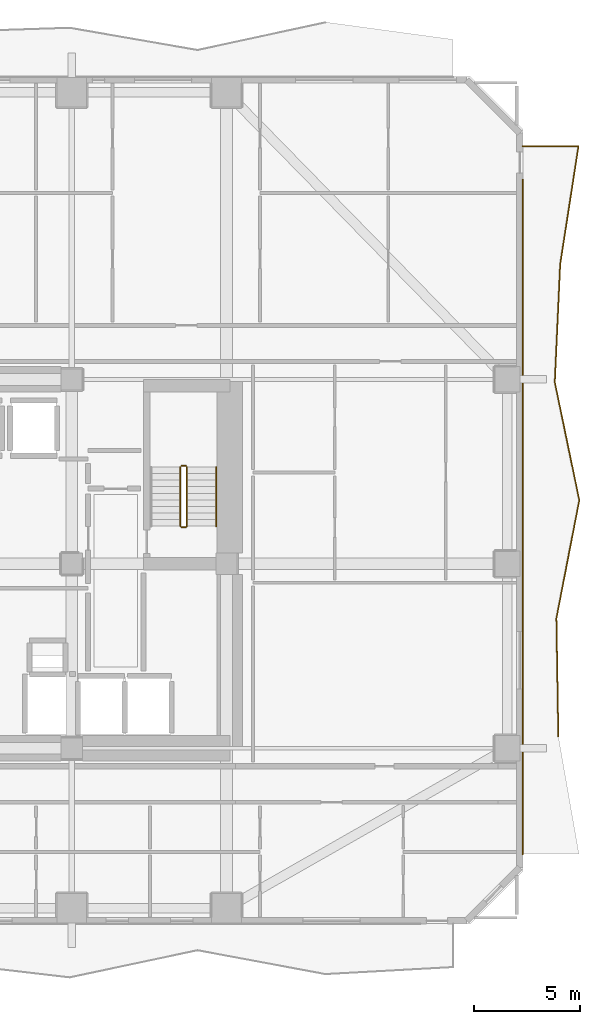
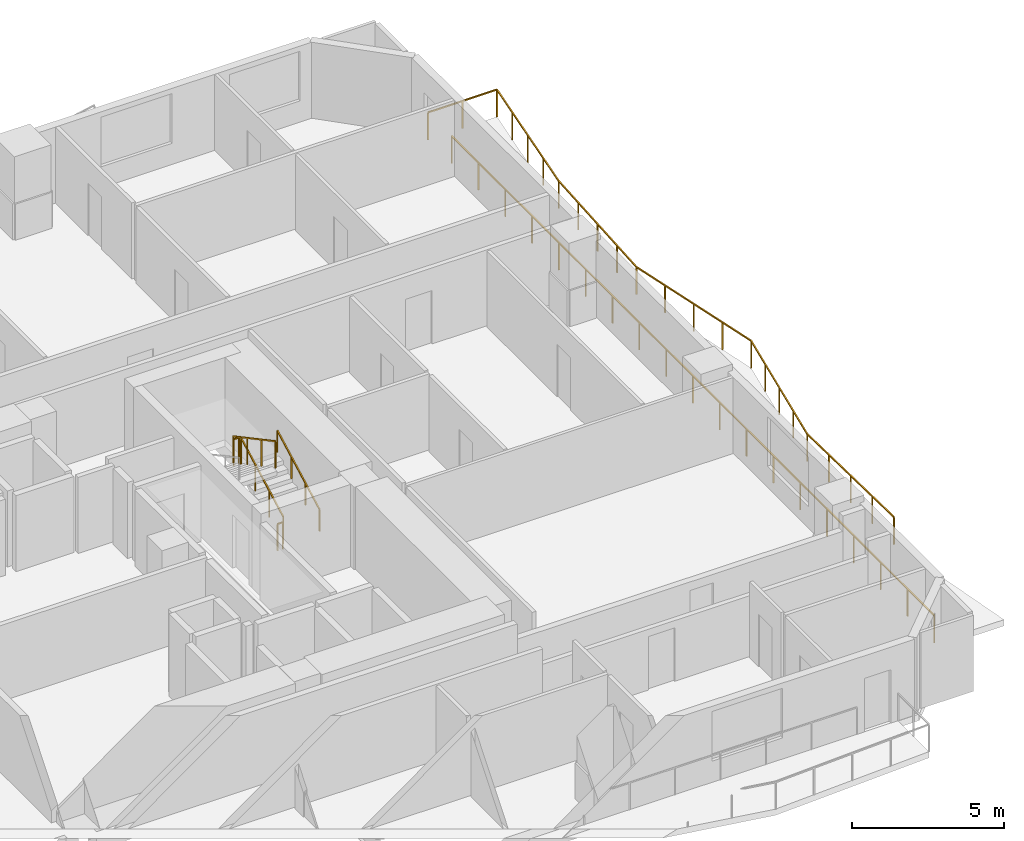
# One storey, part 10 of 11: 7 railings.
"""IFC4 building model written with IfcOpenShell, lengths in metres."""

from ifc_helpers import new_model, si_unit, direction, frame, origin, origin_2d, place, context, subcontext, project, spatial, rectangle, extrude, material, type_object, element, save


model = new_model("IFC4")

# Units and contexts
model_context = context("Model", 3, precision=1e-05, world=origin(), true_north=direction((0.0, 1.0)))
body_context = subcontext(model_context, "Body", "Model", "MODEL_VIEW")
ifc_project = project(units=[si_unit("LENGTHUNIT", "METRE"), si_unit("AREAUNIT", "SQUARE_METRE"), si_unit("VOLUMEUNIT", "CUBIC_METRE"), si_unit("PLANEANGLEUNIT", "RADIAN"), si_unit("MASSUNIT", "GRAM", prefix="KILO")], contexts=[model_context])

# Site, building, storey
site_placement = place(None, origin())
site = spatial("IfcSite", under=ifc_project, at=site_placement, CompositionType="ELEMENT")
building_placement = place(site_placement, origin())
building = spatial("IfcBuilding", under=site, at=building_placement, Name="Solanera Arch Residences", CompositionType="ELEMENT")
storey_placement = place(building_placement, frame((0.0, 0.0, 68.47998046875)))
storey = spatial("IfcBuildingStorey", under=building, at=storey_placement, Name="L19", CompositionType="ELEMENT", Elevation=68.47998046875)

# Railings
ifc_material_1 = material(Name="Steel S355 (ASTM A992 / A572 Grade 50)", Category="steel")
railing_type_1 = type_object("IfcRailingType", Name="Balustrade Railing BL-1100", PredefinedType="BALUSTRADE", material=ifc_material_1)
railing_1_placement = place(storey_placement, frame((52.159912109375, 22.56689453125, 0.0)))
element("IfcRailing", 1, at=railing_1_placement, inside=storey, type_object=railing_type_1, Name="L19 E Balcony Balustrade 1", PredefinedType="BALUSTRADE", context=body_context, shape_type="SweptSolid", body=[
    extrude(rectangle(XDim=0.048095703125, YDim=0.048095703125, at=origin_2d()), frame((0.0, 0.0, 1.09619140625), z_axis=(-0.016314333585, 0.999866912404, 0.0), x_axis=(-0.999866912404, -0.016314333585, 0.0)), (0.0, 0.0, 1.0), 5.56689453125),
    extrude(rectangle(XDim=0.048095703125, YDim=0.048095703125, at=origin_2d()), frame((-0.0908203125, 5.566162109375, 1.09619140625), z_axis=(0.190258853193, 0.981733960287, 0.0), x_axis=(-0.981733960287, 0.190258853193, 0.0)), (0.0, 0.0, 1.0), 5.67041015625),
    extrude(rectangle(XDim=0.048095703125, YDim=0.048095703125, at=origin_2d()), frame((0.988037109375, 11.133056640625, 1.09619140625), z_axis=(-0.203146551472, 0.979148343524, 0.0), x_axis=(-0.979148343524, -0.203146551472, 0.0)), (0.0, 0.0, 1.0), 5.685791015625),
    extrude(rectangle(XDim=0.048095703125, YDim=0.048095703125, at=origin_2d()), frame((-0.1669921875, 16.7001953125, 1.09619140625), z_axis=(0.045614371737, 0.998959122833, 0.0), x_axis=(-0.998959122833, 0.045614371737, 0.0)), (0.0, 0.0, 1.0), 5.57177734375),
    extrude(rectangle(XDim=0.048095703125, YDim=0.048095703125, at=origin_2d()), frame((0.087158203125, 22.26611328125, 1.09619140625), z_axis=(0.152988540853, 0.988227962753, 0.0), x_axis=(-0.988227962753, 0.152988540853, 0.0)), (0.0, 0.0, 1.0), 5.63330078125),
    extrude(rectangle(XDim=0.048095703125, YDim=0.048095703125, at=origin_2d()), frame((0.948974609375, 27.8330078125, 1.09619140625), z_axis=(-1.0, 0.0, 0.0), x_axis=(0.0, -1.0, 0.0)), (0.0, 0.0, 1.0), 2.62890625),
    extrude(rectangle(XDim=0.0419921875, YDim=0.0419921875, at=origin_2d()), origin(), (0.0, 0.0, 1.0), 1.072021484375),
    extrude(rectangle(XDim=0.0419921875, YDim=0.0419921875, at=origin_2d()), frame((-0.022705078125, 1.3916015625, 0.0)), (0.0, 0.0, 1.0), 1.072021484375),
    extrude(rectangle(XDim=0.0419921875, YDim=0.0419921875, at=origin_2d()), frame((-0.04541015625, 2.783203125, 0.0)), (0.0, 0.0, 1.0), 1.072021484375),
    extrude(rectangle(XDim=0.0419921875, YDim=0.0419921875, at=origin_2d()), frame((-0.068115234375, 4.174560546875, 0.0)), (0.0, 0.0, 1.0), 1.072021484375),
    extrude(rectangle(XDim=0.0419921875, YDim=0.0419921875, at=origin_2d()), frame((-0.0908203125, 5.566162109375, 0.0)), (0.0, 0.0, 1.0), 1.072021484375),
    extrude(rectangle(XDim=0.0419921875, YDim=0.0419921875, at=origin_2d()), frame((0.178955078125, 6.9580078125, 0.0)), (0.0, 0.0, 1.0), 1.072021484375),
    extrude(rectangle(XDim=0.0419921875, YDim=0.0419921875, at=origin_2d()), frame((0.44873046875, 8.349609375, 0.0)), (0.0, 0.0, 1.0), 1.072021484375),
    extrude(rectangle(XDim=0.0419921875, YDim=0.0419921875, at=origin_2d()), frame((0.71826171875, 9.7412109375, 0.0)), (0.0, 0.0, 1.0), 1.072021484375),
    extrude(rectangle(XDim=0.0419921875, YDim=0.0419921875, at=origin_2d()), frame((0.988037109375, 11.133056640625, 0.0)), (0.0, 0.0, 1.0), 1.072021484375),
    extrude(rectangle(XDim=0.0419921875, YDim=0.0419921875, at=origin_2d()), frame((0.69921875, 12.52490234375, 0.0)), (0.0, 0.0, 1.0), 1.072021484375),
    extrude(rectangle(XDim=0.0419921875, YDim=0.0419921875, at=origin_2d()), frame((0.41064453125, 13.91650390625, 0.0)), (0.0, 0.0, 1.0), 1.072021484375),
    extrude(rectangle(XDim=0.0419921875, YDim=0.0419921875, at=origin_2d()), frame((0.121826171875, 15.308349609375, 0.0)), (0.0, 0.0, 1.0), 1.072021484375),
    extrude(rectangle(XDim=0.0419921875, YDim=0.0419921875, at=origin_2d()), frame((-0.1669921875, 16.7001953125, 0.0)), (0.0, 0.0, 1.0), 1.072021484375),
    extrude(rectangle(XDim=0.0419921875, YDim=0.0419921875, at=origin_2d()), frame((-0.103515625, 18.091796875, 0.0)), (0.0, 0.0, 1.0), 1.072021484375),
    extrude(rectangle(XDim=0.0419921875, YDim=0.0419921875, at=origin_2d()), frame((-0.0400390625, 19.483154296875, 0.0)), (0.0, 0.0, 1.0), 1.072021484375),
    extrude(rectangle(XDim=0.0419921875, YDim=0.0419921875, at=origin_2d()), frame((0.023681640625, 20.87451171875, 0.0)), (0.0, 0.0, 1.0), 1.072021484375),
    extrude(rectangle(XDim=0.0419921875, YDim=0.0419921875, at=origin_2d()), frame((0.087158203125, 22.26611328125, 0.0)), (0.0, 0.0, 1.0), 1.072021484375),
    extrude(rectangle(XDim=0.0419921875, YDim=0.0419921875, at=origin_2d()), frame((0.302734375, 23.65771484375, 0.0)), (0.0, 0.0, 1.0), 1.072021484375),
    extrude(rectangle(XDim=0.0419921875, YDim=0.0419921875, at=origin_2d()), frame((0.51806640625, 25.049560546875, 0.0)), (0.0, 0.0, 1.0), 1.072021484375),
    extrude(rectangle(XDim=0.0419921875, YDim=0.0419921875, at=origin_2d()), frame((0.7333984375, 26.44140625, 0.0)), (0.0, 0.0, 1.0), 1.072021484375),
    extrude(rectangle(XDim=0.0419921875, YDim=0.0419921875, at=origin_2d()), frame((0.948974609375, 27.8330078125, 0.0)), (0.0, 0.0, 1.0), 1.072021484375),
    extrude(rectangle(XDim=0.0419921875, YDim=0.0419921875, at=origin_2d()), frame((-0.365478515625, 27.8330078125, 0.0)), (0.0, 0.0, 1.0), 1.072021484375),
    extrude(rectangle(XDim=0.0419921875, YDim=0.0419921875, at=origin_2d()), frame((-1.679931640625, 27.8330078125, 0.0)), (0.0, 0.0, 1.0), 1.072021484375),
])
railing_2_placement = place(storey_placement, frame((50.47998046875, 48.833984375, 0.0)))
element("IfcRailing", 2, at=railing_2_placement, inside=storey, type_object=railing_type_1, Name="L19 E Balcony Balustrade 2", PredefinedType="BALUSTRADE", context=body_context, shape_type="SweptSolid", body=[
    extrude(rectangle(XDim=0.048095703125, YDim=0.048095703125, at=origin_2d()), frame((0.0, 0.0, 1.09619140625), z_axis=(0.0, -1.0, 0.0), x_axis=(1.0, 0.0, 0.0)), (0.0, 0.0, 1.0), 31.833984375),
    extrude(rectangle(XDim=0.0419921875, YDim=0.0419921875, at=origin_2d()), origin(), (0.0, 0.0, 1.0), 1.072021484375),
    extrude(rectangle(XDim=0.0419921875, YDim=0.0419921875, at=origin_2d()), frame((0.0, -1.7685546875, 0.0)), (0.0, 0.0, 1.0), 1.072021484375),
    extrude(rectangle(XDim=0.0419921875, YDim=0.0419921875, at=origin_2d()), frame((0.0, -3.537109375, 0.0)), (0.0, 0.0, 1.0), 1.072021484375),
    extrude(rectangle(XDim=0.0419921875, YDim=0.0419921875, at=origin_2d()), frame((0.0, -5.3056640625, 0.0)), (0.0, 0.0, 1.0), 1.072021484375),
    extrude(rectangle(XDim=0.0419921875, YDim=0.0419921875, at=origin_2d()), frame((0.0, -7.07421875, 0.0)), (0.0, 0.0, 1.0), 1.072021484375),
    extrude(rectangle(XDim=0.0419921875, YDim=0.0419921875, at=origin_2d()), frame((0.0, -8.8427734375, 0.0)), (0.0, 0.0, 1.0), 1.072021484375),
    extrude(rectangle(XDim=0.0419921875, YDim=0.0419921875, at=origin_2d()), frame((0.0, -10.611328125, 0.0)), (0.0, 0.0, 1.0), 1.072021484375),
    extrude(rectangle(XDim=0.0419921875, YDim=0.0419921875, at=origin_2d()), frame((0.0, -12.3798828125, 0.0)), (0.0, 0.0, 1.0), 1.072021484375),
    extrude(rectangle(XDim=0.0419921875, YDim=0.0419921875, at=origin_2d()), frame((0.0, -14.1484375, 0.0)), (0.0, 0.0, 1.0), 1.072021484375),
    extrude(rectangle(XDim=0.0419921875, YDim=0.0419921875, at=origin_2d()), frame((0.0, -15.9169921875, 0.0)), (0.0, 0.0, 1.0), 1.072021484375),
    extrude(rectangle(XDim=0.0419921875, YDim=0.0419921875, at=origin_2d()), frame((0.0, -17.685546875, 0.0)), (0.0, 0.0, 1.0), 1.072021484375),
    extrude(rectangle(XDim=0.0419921875, YDim=0.0419921875, at=origin_2d()), frame((0.0, -19.4541015625, 0.0)), (0.0, 0.0, 1.0), 1.072021484375),
    extrude(rectangle(XDim=0.0419921875, YDim=0.0419921875, at=origin_2d()), frame((0.0, -21.22265625, 0.0)), (0.0, 0.0, 1.0), 1.072021484375),
    extrude(rectangle(XDim=0.0419921875, YDim=0.0419921875, at=origin_2d()), frame((0.0, -22.9912109375, 0.0)), (0.0, 0.0, 1.0), 1.072021484375),
    extrude(rectangle(XDim=0.0419921875, YDim=0.0419921875, at=origin_2d()), frame((0.0, -24.759765625, 0.0)), (0.0, 0.0, 1.0), 1.072021484375),
    extrude(rectangle(XDim=0.0419921875, YDim=0.0419921875, at=origin_2d()), frame((0.0, -26.5283203125, 0.0)), (0.0, 0.0, 1.0), 1.072021484375),
    extrude(rectangle(XDim=0.0419921875, YDim=0.0419921875, at=origin_2d()), frame((0.0, -28.296875, 0.0)), (0.0, 0.0, 1.0), 1.072021484375),
    extrude(rectangle(XDim=0.0419921875, YDim=0.0419921875, at=origin_2d()), frame((0.0, -30.0654296875, 0.0)), (0.0, 0.0, 1.0), 1.072021484375),
    extrude(rectangle(XDim=0.0419921875, YDim=0.0419921875, at=origin_2d()), frame((0.0, -31.833984375, 0.0)), (0.0, 0.0, 1.0), 1.072021484375),
])
ifc_material_2 = material(Name="Steel S355 (ASTM A992 / A572 Grade 50)", Category="steel")
railing_type_2 = type_object("IfcRailingType", Name="Stair Guardrail GR-1100", PredefinedType="GUARDRAIL", material=ifc_material_2)
railing_3_placement = place(storey_placement, frame((34.6298828125, 32.47998046875, 0.151123046875)))
element("IfcRailing", 3, at=railing_3_placement, inside=storey, type_object=railing_type_2, Name="L19 ST-T2 stair guard 1", PredefinedType="GUARDRAIL", context=body_context, shape_type="SweptSolid", body=[
    extrude(rectangle(XDim=0.048095703125, YDim=0.048095703125, at=origin_2d()), frame((0.0, 0.0, 1.076171875), z_axis=(0.0, 0.881580869306, 0.472033018838), x_axis=(-1.0, 0.0, 0.0)), (0.0, 0.0, 1.0), 3.164794921875),
    extrude(rectangle(XDim=0.0419921875, YDim=0.0419921875, at=origin_2d()), origin(), (0.0, 0.0, 1.0), 1.052001953125),
    extrude(rectangle(XDim=0.0419921875, YDim=0.0419921875, at=origin_2d()), frame((0.0, 0.929931640625, 0.498046875)), (0.0, 0.0, 1.0), 1.052001953125),
    extrude(rectangle(XDim=0.0419921875, YDim=0.0419921875, at=origin_2d()), frame((0.0, 1.860107421875, 0.995849609375)), (0.0, 0.0, 1.0), 1.052001953125),
    extrude(rectangle(XDim=0.0419921875, YDim=0.0419921875, at=origin_2d()), frame((0.0, 2.7900390625, 1.493896484375)), (0.0, 0.0, 1.0), 1.052001953125),
])
railing_4_placement = place(storey_placement, frame((34.580078125, 35.320068359375, 1.64501953125)))
element("IfcRailing", 4, at=railing_4_placement, inside=storey, type_object=railing_type_2, Name="L19 ST-T2 stair guard 2", PredefinedType="GUARDRAIL", context=body_context, shape_type="SweptSolid", body=[
    extrude(rectangle(XDim=0.048095703125, YDim=0.048095703125, at=origin_2d()), frame((0.0, 0.0, 1.076171875), z_axis=(-1.0, 0.0, 0.0), x_axis=(0.0, -1.0, 0.0)), (0.0, 0.0, 1.0), 0.2001953125),
    extrude(rectangle(XDim=0.0419921875, YDim=0.0419921875, at=origin_2d()), origin(), (0.0, 0.0, 1.0), 1.052001953125),
    extrude(rectangle(XDim=0.0419921875, YDim=0.0419921875, at=origin_2d()), frame((-0.2001953125, 0.0, 0.0)), (0.0, 0.0, 1.0), 1.052001953125),
])
railing_5_placement = place(storey_placement, frame((34.330078125, 35.27001953125, 1.81103515625)))
element("IfcRailing", 5, at=railing_5_placement, inside=storey, type_object=railing_type_2, Name="L19 ST-T2 stair guard 3", PredefinedType="GUARDRAIL", context=body_context, shape_type="SweptSolid", body=[
    extrude(rectangle(XDim=0.048095703125, YDim=0.048095703125, at=origin_2d()), frame((0.0, 0.0, 1.076171875), z_axis=(0.0, -0.881580869306, 0.472033018838), x_axis=(1.0, 0.0, 0.0)), (0.0, 0.0, 1.0), 3.164794921875),
    extrude(rectangle(XDim=0.0419921875, YDim=0.0419921875, at=origin_2d()), origin(), (0.0, 0.0, 1.0), 1.052001953125),
    extrude(rectangle(XDim=0.0419921875, YDim=0.0419921875, at=origin_2d()), frame((0.0, -0.929931640625, 0.498046875)), (0.0, 0.0, 1.0), 1.052001953125),
    extrude(rectangle(XDim=0.0419921875, YDim=0.0419921875, at=origin_2d()), frame((0.0, -1.860107421875, 0.995849609375)), (0.0, 0.0, 1.0), 1.052001953125),
    extrude(rectangle(XDim=0.0419921875, YDim=0.0419921875, at=origin_2d()), frame((0.0, -2.7900390625, 1.493896484375)), (0.0, 0.0, 1.0), 1.052001953125),
])
railing_6_placement = place(storey_placement, frame((34.580078125, 32.429931640625, -0.014892578125)))
element("IfcRailing", 6, at=railing_6_placement, inside=storey, type_object=railing_type_2, Name="L19 ST-T2 stair guard 4", PredefinedType="GUARDRAIL", context=body_context, shape_type="SweptSolid", body=[
    extrude(rectangle(XDim=0.048095703125, YDim=0.048095703125, at=origin_2d()), frame((0.0, 0.0, 1.076171875), z_axis=(-1.0, 0.0, 0.0), x_axis=(0.0, -1.0, 0.0)), (0.0, 0.0, 1.0), 0.2001953125),
    extrude(rectangle(XDim=0.0419921875, YDim=0.0419921875, at=origin_2d()), origin(), (0.0, 0.0, 1.0), 1.052001953125),
    extrude(rectangle(XDim=0.0419921875, YDim=0.0419921875, at=origin_2d()), frame((-0.2001953125, 0.0, 0.0)), (0.0, 0.0, 1.0), 1.052001953125),
])
ifc_material_3 = material(Name="Steel S355 (ASTM A992 / A572 Grade 50)", Category="steel")
railing_type_3 = type_object("IfcRailingType", Name="Stair Wall Handrail HR-920", PredefinedType="HANDRAIL", material=ifc_material_3)
railing_7_placement = place(storey_placement, frame((36.010009765625, 32.47998046875, 0.166015625)))
element("IfcRailing", 7, at=railing_7_placement, inside=storey, type_object=railing_type_3, Name="L19 ST-T2 stair handrail 1", PredefinedType="HANDRAIL", context=body_context, shape_type="SweptSolid", body=[
    extrude(rectangle(XDim=0.048095703125, YDim=0.048095703125, at=origin_2d()), frame((0.0, 0.0, 0.8759765625), z_axis=(0.0, 0.881580869306, 0.472033018838), x_axis=(-1.0, 0.0, 0.0)), (0.0, 0.0, 1.0), 3.164794921875),
    extrude(rectangle(XDim=0.0419921875, YDim=0.0419921875, at=origin_2d()), origin(), (0.0, 0.0, 1.0), 0.851806640625),
    extrude(rectangle(XDim=0.0419921875, YDim=0.0419921875, at=origin_2d()), frame((0.0, 0.929931640625, 0.498046875)), (0.0, 0.0, 1.0), 0.851806640625),
    extrude(rectangle(XDim=0.0419921875, YDim=0.0419921875, at=origin_2d()), frame((0.0, 1.860107421875, 0.995849609375)), (0.0, 0.0, 1.0), 0.851806640625),
    extrude(rectangle(XDim=0.0419921875, YDim=0.0419921875, at=origin_2d()), frame((0.0, 2.7900390625, 1.493896484375)), (0.0, 0.0, 1.0), 0.851806640625),
])

save(model, "model.ifc")
